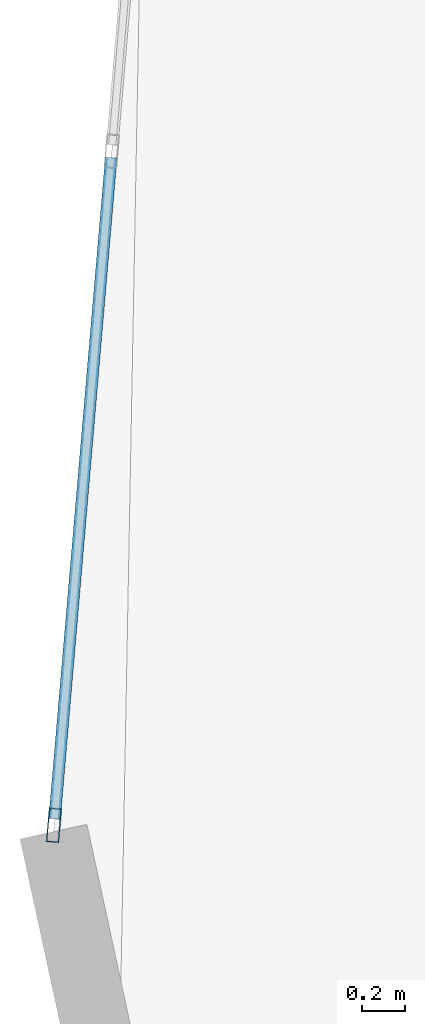
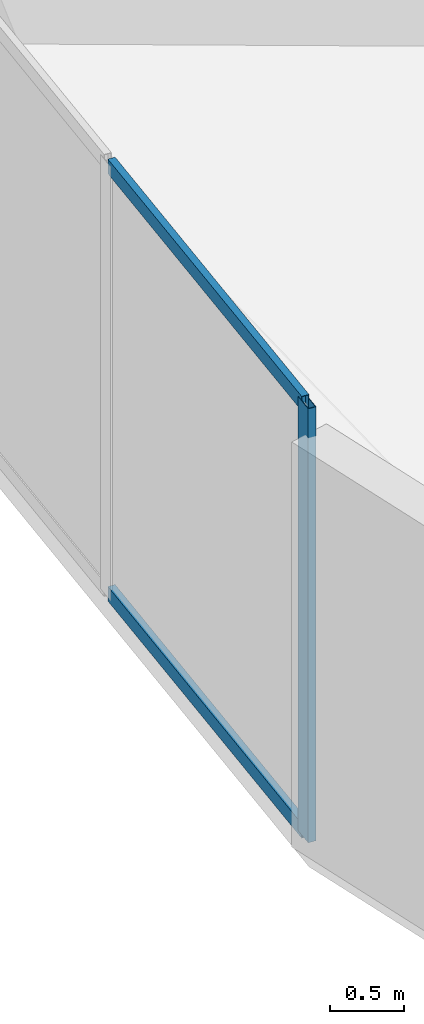
# One storey, part 7 of 23: 3 members, 1 element without a shape of its own.
"""IFC4 building model written with IfcOpenShell, lengths in metres."""

import ifcopenshell
import ifcopenshell.guid

model = None  # the IFC model being written
_history = None  # IfcOwnerHistory: only IFC2X3 demands one
_inside = {}  # id of a spatial element -> (the spatial element, [elements in it])
_under = {}  # id of a project, library or spatial element -> (it, [spatial elements below it])
_declared = {}  # id of a project -> (the project, [libraries it declares])
_typed = {}  # id of a type object -> (the type object, [elements of that type])
_made_of = {}  # id of a material, layer set ... -> (it, [elements and type objects made of it])


def new_model(schema):
    """Start an empty IFC model of exactly this schema.

    Asked for "IFC4X3", IfcOpenShell would pick the latest addendum, in which some entities
    have other attributes; the version numbers below select the first issue.
    IFC2X3 requires an IfcOwnerHistory on every rooted entity: one is made here for all.
    """
    global model, _history
    if schema == "IFC4X3":
        model = ifcopenshell.file(schema_version=(4, 3, 0, 0))
    else:
        model = ifcopenshell.file(schema=schema)
    _inside.clear()
    _under.clear()
    _declared.clear()
    _typed.clear()
    _made_of.clear()
    _history = None
    if model.schema == "IFC2X3":
        org = make("IfcOrganization", Name="unknown")
        user = make(
            "IfcPersonAndOrganization",
            ThePerson=make("IfcPerson", FamilyName="unknown"),
            TheOrganization=org,
        )
        app = make(
            "IfcApplication",
            ApplicationDeveloper=org,
            Version="unknown",
            ApplicationFullName="unknown",
            ApplicationIdentifier="unknown",
        )
        _history = make(
            "IfcOwnerHistory",
            OwningUser=user,
            OwningApplication=app,
            ChangeAction="ADDED",
            CreationDate=0,
        )
    return model


def make(cls, **values):
    """One entity of the class cls with the attributes given. An attribute that is None is left unset."""
    return model.create_entity(
        cls, **{name: value for name, value in values.items() if value is not None}
    )


def rooted(cls, **values):
    """An entity with a GlobalId (a new one), such as an element, a storey or a relation."""
    return make(cls, GlobalId=ifcopenshell.guid.new(), OwnerHistory=_history, **values)


def si_unit(unit_type, name, prefix=None):
    """IfcSIUnit, for example si_unit("LENGTHUNIT", "METRE", prefix="MILLI")."""
    return make("IfcSIUnit", UnitType=unit_type, Prefix=prefix, Name=name)


def assignment(units):
    """IfcUnitAssignment: the units of a project."""
    return None if units is None else make("IfcUnitAssignment", Units=units)


def point(xyz):
    """IfcCartesianPoint."""
    return None if xyz is None else make("IfcCartesianPoint", Coordinates=xyz)


def direction(xyz):
    """IfcDirection."""
    return None if xyz is None else make("IfcDirection", DirectionRatios=xyz)


def frame(location, z_axis=None, x_axis=None):
    """IfcAxis2Placement3D, a coordinate frame: its origin and axes. An axis left out is left unset."""
    return make(
        "IfcAxis2Placement3D",
        Location=point(location),
        Axis=direction(z_axis),
        RefDirection=direction(x_axis),
    )


def frame_2d(location, x_axis=None):
    """IfcAxis2Placement2D, a coordinate frame in the plane: its origin and x axis."""
    return make(
        "IfcAxis2Placement2D", Location=point(location), RefDirection=direction(x_axis)
    )


def origin():
    """The frame at (0, 0, 0) with its axes left unset."""
    return frame((0.0, 0.0, 0.0))


def origin_2d():
    """The frame at (0, 0) in the plane with its x axis left unset."""
    return frame_2d((0.0, 0.0))


def place(relative_to, where):
    """IfcLocalPlacement: puts the frame where relative to a parent placement (None: the world)."""
    return make(
        "IfcLocalPlacement", PlacementRelTo=relative_to, RelativePlacement=where
    )


def context(
    kind, dimensions, precision=None, world=None, true_north=None, identifier=None
):
    """IfcGeometricRepresentationContext, for example the 3D "Model" context."""
    return make(
        "IfcGeometricRepresentationContext",
        ContextIdentifier=identifier,
        ContextType=kind,
        CoordinateSpaceDimension=dimensions,
        Precision=precision,
        WorldCoordinateSystem=world,
        TrueNorth=true_north,
    )


def subcontext(parent, identifier, kind, view, scale=None):
    """IfcGeometricRepresentationSubContext, for example "Body" below "Model"."""
    return make(
        "IfcGeometricRepresentationSubContext",
        ContextIdentifier=identifier,
        ContextType=kind,
        ParentContext=parent,
        TargetScale=scale,
        TargetView=view,
    )


def project(units=None, contexts=None):
    """IfcProject with its units and contexts."""
    return rooted(
        "IfcProject",
        Name="project",
        RepresentationContexts=contexts,
        UnitsInContext=assignment(units),
    )


def spatial(cls, under=None, at=None, **own):
    """A site, building, storey or space (cls), placed at a placement, below another one or the project."""
    s = rooted(cls, ObjectPlacement=at, **own)
    if under is not None:
        _under.setdefault(under.id(), (under, []))[1].append(s)
    return s


def profile(cls, at=None, kind="AREA", **sizes):
    """A parametric profile (cls). Its sizes go by their IFC names, for example OverallWidth=200.0."""
    return make(cls, ProfileType=kind, Position=at, **sizes)


def hollow_rectangle(**sizes):
    """IfcRectangleHollowProfileDef."""
    return profile("IfcRectangleHollowProfileDef", **sizes)


def extrude(swept, where, along, depth):
    """IfcExtrudedAreaSolid: the profile swept, set in the frame where, extruded along a direction by depth."""
    return make(
        "IfcExtrudedAreaSolid",
        SweptArea=swept,
        Position=where,
        ExtrudedDirection=direction(along),
        Depth=depth,
    )


def shape(context_of_items, identifier, shape_type, items):
    """IfcShapeRepresentation: the items that make up one representation, for example the "Body"."""
    return make(
        "IfcShapeRepresentation",
        ContextOfItems=context_of_items,
        RepresentationIdentifier=identifier,
        RepresentationType=shape_type,
        Items=items,
    )


def source(mapping_origin, context_of_items, identifier, shape_type, items):
    """IfcRepresentationMap: a shape defined once, which mapped items show again and again."""
    return make(
        "IfcRepresentationMap",
        MappingOrigin=mapping_origin,
        MappedRepresentation=shape(context_of_items, identifier, shape_type, items),
    )


def transform(
    local_origin,
    x_axis=None,
    y_axis=None,
    z_axis=None,
    scale=None,
    scale2=None,
    scale3=None,
    uniform=True,
):
    """IfcCartesianTransformationOperator3D, or its non-uniform kind. x_axis, y_axis, z_axis: its Axis1, 2, 3."""
    if uniform:
        return make(
            "IfcCartesianTransformationOperator3D",
            Axis1=direction(x_axis),
            Axis2=direction(y_axis),
            LocalOrigin=point(local_origin),
            Scale=scale,
            Axis3=direction(z_axis),
        )
    return make(
        "IfcCartesianTransformationOperator3DnonUniform",
        Axis1=direction(x_axis),
        Axis2=direction(y_axis),
        LocalOrigin=point(local_origin),
        Scale=scale,
        Axis3=direction(z_axis),
        Scale2=scale2,
        Scale3=scale3,
    )


def mapped(mapping_source, mapping_target):
    """IfcMappedItem: shows the shape of a source again, moved by a transform."""
    return make(
        "IfcMappedItem", MappingSource=mapping_source, MappingTarget=mapping_target
    )


def material(Name=None, Category=None):
    """IfcMaterial."""
    return make("IfcMaterial", Name=Name, Category=Category)


def layer(
    of_material, thickness, ventilated=None, Name=None, Category=None, Priority=None
):
    """IfcMaterialLayer: one layer of a wall or slab, of a material (None: an air gap)."""
    return make(
        "IfcMaterialLayer",
        Material=of_material,
        LayerThickness=thickness,
        IsVentilated=ventilated,
        Name=Name,
        Category=Category,
        Priority=Priority,
    )


def layer_set(layers, Name=None):
    """IfcMaterialLayerSet."""
    return make("IfcMaterialLayerSet", MaterialLayers=layers, LayerSetName=Name)


def material_profile(
    of_material, cross_section, Name=None, Category=None, Priority=None
):
    """IfcMaterialProfile: a cross section and its material."""
    return make(
        "IfcMaterialProfile",
        Name=Name,
        Material=of_material,
        Profile=cross_section,
        Priority=Priority,
        Category=Category,
    )


def profile_set(profiles, Name=None, composite=None):
    """IfcMaterialProfileSet."""
    return make(
        "IfcMaterialProfileSet",
        Name=Name,
        MaterialProfiles=profiles,
        CompositeProfile=composite,
    )


def made_of(thing, what):
    """Note that an element or type object is made of a material, layer set ...; save() writes the relation."""
    if what is not None:
        _made_of.setdefault(what.id(), (what, []))[1].append(thing)
    return thing


def type_object(cls, material=None, **own):
    """A type object (cls), such as IfcWallType, which elements share."""
    return made_of(rooted(cls, **own), material)


def element(
    cls,
    number,
    at=None,
    inside=None,
    cuts=None,
    type_object=None,
    material=None,
    context=None,
    identifier="Body",
    shape_type=None,
    held_by="IfcProductDefinitionShape",
    body=None,
    shapes=None,
    **own,
):
    """One element of the class cls, such as IfcWall. Its Tag is "e" and its number.

    at: its placement. inside: the storey or other place that contains it. cuts: it is an
    opening in that element (IfcRelVoidsElement). A single representation is given by context,
    identifier, shape_type and body (its items); several are given by shapes. held_by: the class
    of the entity that holds the representations. save() writes the other relations.
    """
    e = rooted(cls, Tag="e%d" % number, ObjectPlacement=at, **own)
    if body is not None:
        shapes = [shape(context, identifier, shape_type, body)]
    if shapes is not None:
        e.Representation = make(held_by, Representations=shapes)
    if inside is not None:
        _inside.setdefault(inside.id(), (inside, []))[1].append(e)
    if cuts is not None:
        rooted(
            "IfcRelVoidsElement", RelatingBuildingElement=cuts, RelatedOpeningElement=e
        )
    if type_object is not None:
        _typed.setdefault(type_object.id(), (type_object, []))[1].append(e)
    return made_of(e, material)


def aggregate(whole, parts):
    """IfcRelAggregates: a whole, such as a stair, and the parts it consists of."""
    return rooted("IfcRelAggregates", RelatingObject=whole, RelatedObjects=parts)


def save(model, path):
    """Write the relations noted so far, then the file.

    IfcRelAggregates (storeys below a building ...), IfcRelContainedInSpatialStructure (elements
    in a storey), IfcRelDefinesByType, IfcRelAssociatesMaterial and IfcRelDeclares: one each for
    every whole, place, type object, material and project.
    """
    for whole, parts in _under.values():
        aggregate(whole, parts)
    for where, things in _inside.values():
        rooted(
            "IfcRelContainedInSpatialStructure",
            RelatedElements=things,
            RelatingStructure=where,
        )
    for kind, things in _typed.values():
        rooted("IfcRelDefinesByType", RelatedObjects=things, RelatingType=kind)
    for what, things in _made_of.values():
        rooted("IfcRelAssociatesMaterial", RelatedObjects=things, RelatingMaterial=what)
    for by, libraries in _declared.values():
        rooted("IfcRelDeclares", RelatingContext=by, RelatedDefinitions=libraries)
    model.write(path)


model = new_model("IFC4")

# Units and contexts
model_context = context("Model", 3, precision=1e-05, world=origin(), true_north=direction((0.0, 1.0)))
body_context = subcontext(model_context, "Body", "Model", "MODEL_VIEW")
ifc_project = project(units=[si_unit("LENGTHUNIT", "METRE"), si_unit("AREAUNIT", "SQUARE_METRE"), si_unit("VOLUMEUNIT", "CUBIC_METRE"), si_unit("PLANEANGLEUNIT", "RADIAN"), si_unit("MASSUNIT", "GRAM", prefix="KILO")], contexts=[model_context])

# Site, building, storey
site_placement = place(None, origin())
site = spatial("IfcSite", under=ifc_project, at=site_placement, CompositionType="ELEMENT")
building_placement = place(site_placement, origin())
building = spatial("IfcBuilding", under=site, at=building_placement, Name="Solvirekh Grand Hotel", CompositionType="ELEMENT")
storey_placement = place(building_placement, frame((0.0, 0.0, 173.199951171875)))
storey = spatial("IfcBuildingStorey", under=building, at=storey_placement, Name="L44", CompositionType="ELEMENT", Elevation=173.199951171875)

# Curtain wall, members
ifc_material = material(Name="Anodized Bronze Aluminium 6063-T6", Category="aluminium")
ifc_layer = layer(ifc_material, 0.159912109375)
ifc_layer_set = layer_set([ifc_layer], Name="Anodized Bronze Aluminium 6063-T6")
curtain_wall_type = type_object("IfcCurtainWallType", Name="CW_Sys4_HighZoneFlushBronzeCW", PredefinedType="NOTDEFINED", material=ifc_layer_set)
curtain_wall_placement = place(storey_placement, origin())
curtain_wall = element("IfcCurtainWall", 1, at=curtain_wall_placement, inside=storey, type_object=curtain_wall_type, Name="L44 unitised bronze-glass curtain wall CW-L44-C13", PredefinedType="NOTDEFINED")
ifc_material_profile_1 = material_profile(ifc_material, hollow_rectangle(XDim=0.06005859375, YDim=0.159912109375, WallThickness=0.0048828125, at=origin_2d()), Name="ALU RHS 160X60X5")
ifc_profile_set_1 = profile_set([ifc_material_profile_1], Name="Anodized Bronze Aluminium 6063-T6")
member_type_1 = type_object("IfcMemberType", Name="CWMullion_Sys4", PredefinedType="MULLION", material=ifc_profile_set_1)
shared_shape_1 = source(origin(), body_context, "Body", "SweptSolid", [
    extrude(hollow_rectangle(XDim=0.06005859375, YDim=0.159912109375, WallThickness=0.0048828125, at=origin_2d()), origin(), (0.0, 0.0, 1.0), 3.60009765625),
])
member_1_placement = place(storey_placement, frame((-21.1025390625, 1.25390625, 0.0), z_axis=(0.0, 0.0, 1.0), x_axis=(0.996355395292, -0.085299040279, 0.0)))
member_1 = element("IfcMember", 2, at=member_1_placement, type_object=member_type_1, Name="U04 mullion 3", PredefinedType="MULLION", context=body_context, shape_type="MappedRepresentation", body=[
    mapped(shared_shape_1, transform((0.0, 0.0, 0.0), x_axis=(1.0, 0.0, 0.0), y_axis=(0.0, 1.0, 0.0), z_axis=(0.0, 0.0, 1.0), scale=1.0)),
])
ifc_material_profile_2 = material_profile(ifc_material, hollow_rectangle(XDim=0.054931640625, YDim=0.1201171875, WallThickness=0.00390625, at=origin_2d()), Name="ALU RHS 120X55X4")
ifc_profile_set_2 = profile_set([ifc_material_profile_2], Name="Anodized Bronze Aluminium 6063-T6")
member_type_2 = type_object("IfcMemberType", Name="CWTransom_Sys4", PredefinedType="USERDEFINED", material=ifc_profile_set_2)
shared_shape_2 = source(origin(), body_context, "Body", "SweptSolid", [
    extrude(hollow_rectangle(XDim=0.054931640625, YDim=0.1201171875, WallThickness=0.00390625, at=origin_2d()), origin(), (0.0, 0.0, 1.0), 3.104736328125),
])
member_2_placement = place(storey_placement, frame((-20.8349609375, 4.377197265625, 0.027587890625), z_axis=(-0.085316391133, -0.996353909715, 0.0), x_axis=(0.996353909715, -0.085316391133, 0.0)))
member_2 = element("IfcMember", 3, at=member_2_placement, type_object=member_type_2, Name="U04 transom 2.1", ObjectType="TRANSOM", PredefinedType="USERDEFINED", context=body_context, shape_type="MappedRepresentation", body=[
    mapped(shared_shape_2, transform((0.0, 0.0, 0.0), x_axis=(1.0, 0.0, 0.0), y_axis=(0.0, 1.0, 0.0), z_axis=(0.0, 0.0, 1.0), scale=1.0)),
])
member_3_placement = place(storey_placement, frame((-20.8349609375, 4.377197265625, 3.572509765625), z_axis=(-0.085316391133, -0.996353909715, 0.0), x_axis=(0.996353909715, -0.085316391133, 0.0)))
member_3 = element("IfcMember", 4, at=member_3_placement, type_object=member_type_2, Name="U04 transom 2.2", ObjectType="TRANSOM", PredefinedType="USERDEFINED", context=body_context, shape_type="MappedRepresentation", body=[
    mapped(shared_shape_2, transform((0.0, 0.0, 0.0), x_axis=(1.0, 0.0, 0.0), y_axis=(0.0, 1.0, 0.0), z_axis=(0.0, 0.0, 1.0), scale=1.0)),
])
aggregate(curtain_wall, [member_1, member_2, member_3])

save(model, "model.ifc")
